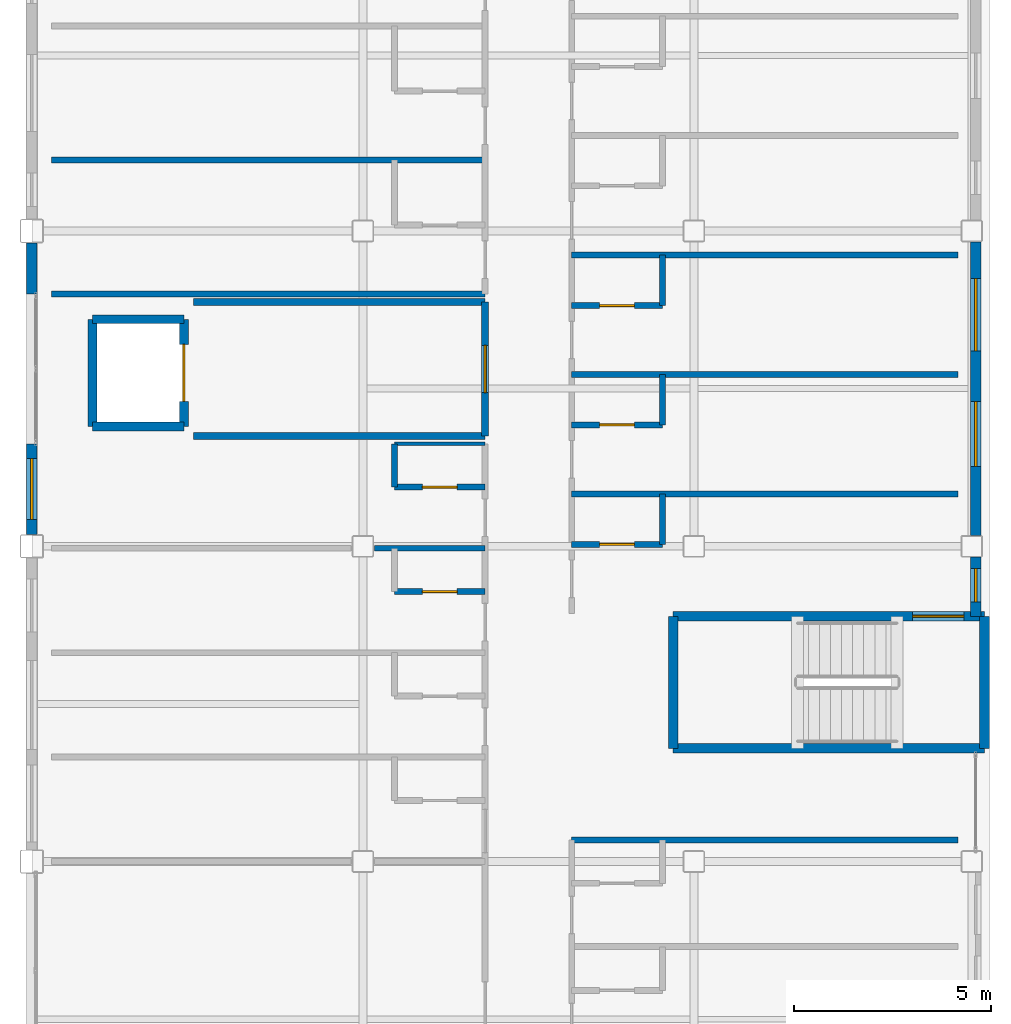
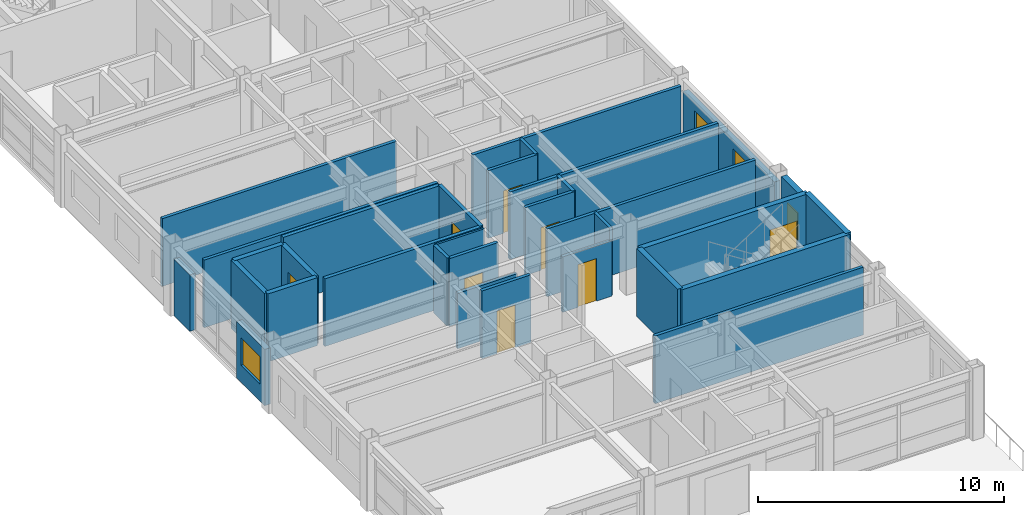
# One storey, part 26 of 36: 32 walls, 8 doors, 4 windows, 12 openings.
"""IFC4 building model written with IfcOpenShell, lengths in metres."""

from ifc_helpers import new_model, si_unit, direction, frame, frame_2d, origin, place, context, subcontext, project, spatial, rectangle, extrude, material, layer, layer_set, type_object, element, fill, save


model = new_model("IFC4")

# Units and contexts
model_context = context("Model", 3, precision=1e-05, world=origin(), true_north=direction((0.0, 1.0)))
body_context = subcontext(model_context, "Body", "Model", "MODEL_VIEW")
ifc_project = project(units=[si_unit("LENGTHUNIT", "METRE"), si_unit("AREAUNIT", "SQUARE_METRE"), si_unit("VOLUMEUNIT", "CUBIC_METRE"), si_unit("PLANEANGLEUNIT", "RADIAN"), si_unit("MASSUNIT", "GRAM", prefix="KILO")], contexts=[model_context])

# Site, building, storey
site_placement = place(None, origin())
site = spatial("IfcSite", under=ifc_project, at=site_placement, CompositionType="ELEMENT")
building_placement = place(site_placement, origin())
building = spatial("IfcBuilding", under=site, at=building_placement, Name="Kazehara Bluff Congress Hotel", CompositionType="ELEMENT")
storey_placement = place(building_placement, frame((0.0, 0.0, 31.800048828125)))
storey = spatial("IfcBuildingStorey", under=building, at=storey_placement, Name="L07", CompositionType="ELEMENT", Elevation=31.800048828125)

# Walls
ifc_material_1 = material(Name="Concrete C40/50", Category="concrete")
ifc_layer_1 = layer(ifc_material_1, 0.25)
ifc_layer_set_1 = layer_set([ifc_layer_1], Name="Concrete C40/50")
wall_type_1 = type_object("IfcWallType", Name="TP-CW-RC", PredefinedType="SHEAR", material=ifc_layer_set_1)
for number, where, z_axis, x_axis, name in (
    (1, (167.875, 22.22509765625, 0.0), (0.0, 0.0, 1.0), (0.0, -1.0, 0.0), "L07 ST-10 core wall near"),
    (2, (159.97509765625, 18.875, 0.0), (0.0, 0.0, 1.0), (0.0, 1.0, 0.0), "L07 ST-10 core wall far"),
):
    element("IfcWall", number, at=place(storey_placement, frame(where, z_axis=z_axis, x_axis=x_axis)), inside=storey, type_object=wall_type_1, Name=name, PredefinedType="SHEAR", context=body_context, shape_type="SweptSolid", body=[
        extrude(rectangle(XDim=3.35009765625, YDim=0.25, at=frame_2d((1.675048828125, 0.0))), origin(), (0.0, 0.0, 1.0), 3.3798828125),
    ])

# Wall, opening, door
wall_1_placement = place(storey_placement, frame((159.97509765625, 22.22509765625, 0.0), z_axis=(0.0, 0.0, 1.0), x_axis=(1.0, 0.0, 0.0)))
wall_1 = element("IfcWall", 3, at=wall_1_placement, inside=storey, type_object=wall_type_1, Name="L07 ST-10 core wall left", PredefinedType="SHEAR", context=body_context, shape_type="SweptSolid", body=[
    extrude(rectangle(XDim=7.89990234375, YDim=0.25, at=frame_2d((3.949951171875, 0.0))), origin(), (0.0, 0.0, 1.0), 3.3798828125),
])
opening_1_placement = place(wall_1_placement, frame((6.074951171875, 0.0, 0.0)))
opening_1 = element("IfcOpeningElement", 4, at=opening_1_placement, cuts=wall_1, Name="Opening FD-01", PredefinedType="OPENING", context=body_context, shape_type="SweptSolid", body=[
    extrude(rectangle(XDim=1.300048828125, YDim=2.199951171875, at=frame_2d((0.64990234375, 1.10009765625))), frame((0.0, 0.135009765625, 0.0), z_axis=(0.0, -1.0, 0.0), x_axis=(1.0, 0.0, 0.0)), (0.0, 0.0, 1.0), 0.27001953125),
])
ifc_material_2 = material(Name="Fire-rated painted steel leaf", Category="steel")
door_type_1 = type_object("IfcDoorType", Name="TP-FD-01", OperationType="NOTDEFINED", PredefinedType="DOOR", material=ifc_material_2)
door_1_placement = place(opening_1_placement, origin())
door_1 = element("IfcDoor", 5, at=door_1_placement, inside=storey, type_object=door_type_1, Name="L07 ST-10 fire stair door", OperationType="SINGLE_SWING_LEFT", OverallHeight=2.199951171875, OverallWidth=1.300048828125, PredefinedType="DOOR", context=body_context, shape_type="SweptSolid", body=[
    extrude(rectangle(XDim=1.300048828125, YDim=2.199951171875, at=frame_2d((0.64990234375, 1.10009765625))), frame((0.0, 0.02490234375, 0.0), z_axis=(0.0, -1.0, 0.0), x_axis=(1.0, 0.0, 0.0)), (0.0, 0.0, 1.0), 0.050048828125),
])
fill(opening_1, door_1)

# Wall
wall_2_placement = place(storey_placement, frame((167.875, 18.875, 0.0), z_axis=(0.0, 0.0, 1.0), x_axis=(-1.0, 0.0, 0.0)))
element("IfcWall", 6, at=wall_2_placement, inside=storey, type_object=wall_type_1, Name="L07 ST-10 core wall right", PredefinedType="SHEAR", context=body_context, shape_type="SweptSolid", body=[
    extrude(rectangle(XDim=7.89990234375, YDim=0.25, at=frame_2d((3.949951171875, 0.0))), origin(), (0.0, 0.0, 1.0), 3.3798828125),
])

# Wall, opening, window
ifc_material_3 = material(Name="Precast concrete C40/50", Category="concrete")
ifc_layer_2 = layer(ifc_material_3, 0.260009765625)
ifc_layer_set_2 = layer_set([ifc_layer_2], Name="Precast concrete C40/50")
wall_type_2 = type_object("IfcWallType", Name="TP-EW-260", PredefinedType="SOLIDWALL", material=ifc_layer_set_2)
wall_3_placement = place(storey_placement, frame((167.64990234375, 23.72509765625, 0.0), z_axis=(0.0, 0.0, 1.0), x_axis=(0.0, -1.0, 0.0)))
wall_3 = element("IfcWall", 7, at=wall_3_placement, inside=storey, type_object=wall_type_2, Name="L07 hotel facade panel 91", PredefinedType="SOLIDWALL", context=body_context, shape_type="SweptSolid", body=[
    extrude(rectangle(XDim=1.5, YDim=0.260009765625, at=frame_2d((0.75, 0.0))), origin(), (0.0, 0.0, 1.0), 3.364990234375),
])
opening_2_placement = place(wall_3_placement, frame((0.284912109375, 0.0, 0.85009765625)))
opening_2 = element("IfcOpeningElement", 8, at=opening_2_placement, cuts=wall_3, Name="Opening WN-55", PredefinedType="OPENING", context=body_context, shape_type="SweptSolid", body=[
    extrude(rectangle(XDim=0.85009765625, YDim=1.35009765625, at=frame_2d((0.425048828125, 0.675048828125))), frame((0.0, 0.139892578125, 0.0), z_axis=(0.0, -1.0, 0.0), x_axis=(1.0, 0.0, 0.0)), (0.0, 0.0, 1.0), 0.280029296875),
])
ifc_material_4 = material(Name="Insulated low-E double glazing", Category="glass")
window_type_1 = type_object("IfcWindowType", Name="TP-WN-55", PartitioningType="SINGLE_PANEL", PredefinedType="WINDOW", material=ifc_material_4)
window_1_placement = place(opening_2_placement, origin())
window_1 = element("IfcWindow", 9, at=window_1_placement, inside=storey, type_object=window_type_1, Name="L07 guestroom window WN-55 170", OverallHeight=1.35009765625, OverallWidth=0.85009765625, PartitioningType="SINGLE_PANEL", PredefinedType="WINDOW", context=body_context, shape_type="SweptSolid", body=[
    extrude(rectangle(XDim=0.85009765625, YDim=1.35009765625, at=frame_2d((0.425048828125, 0.675048828125))), frame((0.0, 0.030029296875, 0.0), z_axis=(0.0, -1.0, 0.0), x_axis=(1.0, 0.0, 0.0)), (0.0, 0.0, 1.0), 0.06005859375),
])
fill(opening_2, window_1)

# Wall, openings, windows
wall_4_placement = place(storey_placement, frame((167.64990234375, 31.72509765625, 0.0), z_axis=(0.0, 0.0, 1.0), x_axis=(0.0, -1.0, 0.0)))
wall_4 = element("IfcWall", 10, at=wall_4_placement, inside=storey, type_object=wall_type_2, Name="L07 hotel facade panel 92", PredefinedType="SOLIDWALL", context=body_context, shape_type="SweptSolid", body=[
    extrude(rectangle(XDim=7.4501953125, YDim=0.260009765625, at=frame_2d((3.72509765625, 0.0))), origin(), (0.0, 0.0, 1.0), 2.7548828125),
])
opening_3_placement = place(wall_4_placement, frame((4.054931640625, 0.0, 0.85009765625)))
opening_3 = element("IfcOpeningElement", 11, at=opening_3_placement, cuts=wall_4, Name="Opening WN-27", PredefinedType="OPENING", context=body_context, shape_type="SweptSolid", body=[
    extrude(rectangle(XDim=1.64990234375, YDim=1.5, at=frame_2d((0.824951171875, 0.75))), frame((0.0, 0.139892578125, 0.0), z_axis=(0.0, -1.0, 0.0), x_axis=(1.0, 0.0, 0.0)), (0.0, 0.0, 1.0), 0.280029296875),
])
opening_4_placement = place(wall_4_placement, frame((0.925048828125, 0.0, 0.85009765625)))
opening_4 = element("IfcOpeningElement", 12, at=opening_4_placement, cuts=wall_4, Name="Opening WN-37", PredefinedType="OPENING", context=body_context, shape_type="SweptSolid", body=[
    extrude(rectangle(XDim=1.85009765625, YDim=1.5, at=frame_2d((0.925048828125, 0.75))), frame((0.0, 0.139892578125, 0.0), z_axis=(0.0, -1.0, 0.0), x_axis=(1.0, 0.0, 0.0)), (0.0, 0.0, 1.0), 0.280029296875),
])
ifc_material_5 = material(Name="Insulated low-E double glazing", Category="glass")
window_type_2 = type_object("IfcWindowType", Name="TP-WN-27", PartitioningType="SINGLE_PANEL", PredefinedType="WINDOW", material=ifc_material_5)
window_2_placement = place(opening_3_placement, origin())
window_2 = element("IfcWindow", 13, at=window_2_placement, inside=storey, type_object=window_type_2, Name="L07 guestroom window WN-27 171", OverallHeight=1.5, OverallWidth=1.64990234375, PartitioningType="SINGLE_PANEL", PredefinedType="WINDOW", context=body_context, shape_type="SweptSolid", body=[
    extrude(rectangle(XDim=1.64990234375, YDim=1.5, at=frame_2d((0.824951171875, 0.75))), frame((0.0, 0.030029296875, 0.0), z_axis=(0.0, -1.0, 0.0), x_axis=(1.0, 0.0, 0.0)), (0.0, 0.0, 1.0), 0.06005859375),
])
fill(opening_3, window_2)
ifc_material_6 = material(Name="Insulated low-E double glazing", Category="glass")
window_type_3 = type_object("IfcWindowType", Name="TP-WN-37", PartitioningType="DOUBLE_PANEL_VERTICAL", PredefinedType="WINDOW", material=ifc_material_6)
window_3_placement = place(opening_4_placement, origin())
window_3 = element("IfcWindow", 14, at=window_3_placement, inside=storey, type_object=window_type_3, Name="L07 guestroom window WN-37 172", OverallHeight=1.5, OverallWidth=1.85009765625, PartitioningType="SINGLE_PANEL", PredefinedType="WINDOW", context=body_context, shape_type="SweptSolid", body=[
    extrude(rectangle(XDim=1.85009765625, YDim=1.5, at=frame_2d((0.925048828125, 0.75))), frame((0.0, 0.030029296875, 0.0), z_axis=(0.0, -1.0, 0.0), x_axis=(1.0, 0.0, 0.0)), (0.0, 0.0, 1.0), 0.06005859375),
])
fill(opening_4, window_3)

# Wall, opening, window
wall_5_placement = place(storey_placement, frame((143.699951171875, 24.300048828125, 0.0), z_axis=(0.0, 0.0, 1.0), x_axis=(0.0, 1.0, 0.0)))
wall_5 = element("IfcWall", 15, at=wall_5_placement, inside=storey, type_object=wall_type_2, Name="L07 hotel facade panel 102", PredefinedType="SOLIDWALL", context=body_context, shape_type="SweptSolid", body=[
    extrude(rectangle(XDim=2.300048828125, YDim=0.260009765625, at=frame_2d((1.14990234375, 0.0))), origin(), (0.0, 0.0, 1.0), 2.804931640625),
])
opening_5_placement = place(wall_5_placement, frame((0.375, 0.0, 0.85009765625)))
opening_5 = element("IfcOpeningElement", 16, at=opening_5_placement, cuts=wall_5, Name="Opening WN-21", PredefinedType="OPENING", context=body_context, shape_type="SweptSolid", body=[
    extrude(rectangle(XDim=1.550048828125, YDim=1.35009765625, at=frame_2d((0.77490234375, 0.675048828125))), frame((0.0, 0.139892578125, 0.0), z_axis=(0.0, -1.0, 0.0), x_axis=(1.0, 0.0, 0.0)), (0.0, 0.0, 1.0), 0.280029296875),
])
ifc_material_7 = material(Name="Insulated low-E double glazing", Category="glass")
window_type_4 = type_object("IfcWindowType", Name="TP-WN-21", PartitioningType="SINGLE_PANEL", PredefinedType="WINDOW", material=ifc_material_7)
window_4_placement = place(opening_5_placement, origin())
window_4 = element("IfcWindow", 17, at=window_4_placement, inside=storey, type_object=window_type_4, Name="L07 guestroom window WN-21 196", OverallHeight=1.35009765625, OverallWidth=1.550048828125, PartitioningType="SINGLE_PANEL", PredefinedType="WINDOW", context=body_context, shape_type="SweptSolid", body=[
    extrude(rectangle(XDim=1.550048828125, YDim=1.35009765625, at=frame_2d((0.77490234375, 0.675048828125))), frame((0.0, 0.030029296875, 0.0), z_axis=(0.0, -1.0, 0.0), x_axis=(1.0, 0.0, 0.0)), (0.0, 0.0, 1.0), 0.06005859375),
])
fill(opening_5, window_4)

# Walls
wall_6_placement = place(storey_placement, frame((143.699951171875, 30.39990234375, 0.0), z_axis=(0.0, 0.0, 1.0), x_axis=(0.0, 1.0, 0.0)))
element("IfcWall", 18, at=wall_6_placement, inside=storey, type_object=wall_type_2, Name="L07 hotel facade panel 103", PredefinedType="SOLIDWALL", context=body_context, shape_type="SweptSolid", body=[
    extrude(rectangle(XDim=1.300048828125, YDim=0.260009765625, at=frame_2d((0.64990234375, 0.0))), origin(), (0.0, 0.0, 1.0), 2.804931640625),
])
ifc_material_8 = material(Name="Fire-rated gypsum board stud partition")
ifc_layer_3 = layer(ifc_material_8, 0.094970703125)
ifc_layer_set_3 = layer_set([ifc_layer_3], Name="Fire-rated gypsum board stud partition")
wall_type_3 = type_object("IfcWallType", Name="TP-PT-095", PredefinedType="PARTITIONING", material=ifc_layer_set_3)
wall_7_placement = place(storey_placement, frame((152.89990234375, 26.60009765625, 0.0), z_axis=(0.0, 0.0, 1.0), x_axis=(1.0, 0.0, 0.0)))
element("IfcWall", 19, at=wall_7_placement, inside=storey, type_object=wall_type_3, Name="L07 partition PT-095 877", PredefinedType="PARTITIONING", context=body_context, shape_type="SweptSolid", body=[
    extrude(rectangle(XDim=2.300048828125, YDim=0.094970703125, at=frame_2d((1.14990234375, 0.0))), origin(), (0.0, 0.0, 1.0), 3.364990234375),
])
ifc_material_9 = material(Name="Fire-rated gypsum board stud partition")
ifc_layer_4 = layer(ifc_material_9, 0.14990234375)
ifc_layer_set_4 = layer_set([ifc_layer_4], Name="Fire-rated gypsum board stud partition")
wall_type_4 = type_object("IfcWallType", Name="TP-PT-150", PredefinedType="PARTITIONING", material=ifc_layer_set_4)
wall_8_placement = place(storey_placement, frame((157.39990234375, 16.550048828125, 0.0), z_axis=(0.0, 0.0, 1.0), x_axis=(1.0, 0.0, 0.0)))
element("IfcWall", 20, at=wall_8_placement, inside=storey, type_object=wall_type_4, Name="L07 partition PT-150 866", PredefinedType="PARTITIONING", context=body_context, shape_type="SweptSolid", body=[
    extrude(rectangle(XDim=9.800048828125, YDim=0.14990234375, at=frame_2d((4.89990234375, 0.0))), origin(), (0.0, 0.0, 1.0), 3.364990234375),
])

# Wall, opening, door
wall_9_placement = place(storey_placement, frame((152.89990234375, 22.85009765625, 0.0), z_axis=(0.0, 0.0, 1.0), x_axis=(1.0, 0.0, 0.0)))
wall_9 = element("IfcWall", 21, at=wall_9_placement, inside=storey, type_object=wall_type_4, Name="L07 partition PT-150 871", PredefinedType="PARTITIONING", context=body_context, shape_type="SweptSolid", body=[
    extrude(rectangle(XDim=2.300048828125, YDim=0.14990234375, at=frame_2d((1.14990234375, 0.0))), origin(), (0.0, 0.0, 1.0), 3.364990234375),
])
opening_6_placement = place(wall_9_placement, frame((0.7099609375, 0.0, 0.0)))
opening_6 = element("IfcOpeningElement", 22, at=opening_6_placement, cuts=wall_9, Name="Opening BD-02", PredefinedType="OPENING", context=body_context, shape_type="SweptSolid", body=[
    extrude(rectangle(XDim=0.8798828125, YDim=2.1201171875, at=frame_2d((0.43994140625, 1.06005859375))), frame((0.0, 0.0849609375, 0.0), z_axis=(0.0, -1.0, 0.0), x_axis=(1.0, 0.0, 0.0)), (0.0, 0.0, 1.0), 0.169921875),
])
ifc_material_10 = material(Name="Architectural oak veneer leaf")
door_type_2 = type_object("IfcDoorType", Name="TP-BD-02", OperationType="NOTDEFINED", PredefinedType="DOOR", material=ifc_material_10)
door_2_placement = place(opening_6_placement, origin())
door_2 = element("IfcDoor", 23, at=door_2_placement, inside=storey, type_object=door_type_2, Name="L07 En-suite Bathroom 169 door", OperationType="SINGLE_SWING_RIGHT", OverallHeight=2.1201171875, OverallWidth=0.8798828125, PredefinedType="DOOR", context=body_context, shape_type="SweptSolid", body=[
    extrude(rectangle(XDim=0.8798828125, YDim=2.1201171875, at=frame_2d((0.43994140625, 1.06005859375))), frame((0.0, 0.02490234375, 0.0), z_axis=(0.0, -1.0, 0.0), x_axis=(1.0, 0.0, 0.0)), (0.0, 0.0, 1.0), 0.050048828125),
])
fill(opening_6, door_2)

# Wall
wall_10_placement = place(storey_placement, frame((152.39501953125, 23.949951171875, 0.0), z_axis=(0.0, 0.0, 1.0), x_axis=(1.0, 0.0, 0.0)))
element("IfcWall", 24, at=wall_10_placement, inside=storey, type_object=wall_type_4, Name="L07 partition PT-150 873", PredefinedType="PARTITIONING", context=body_context, shape_type="SweptSolid", body=[
    extrude(rectangle(XDim=2.804931640625, YDim=0.14990234375, at=frame_2d((1.40234375, 0.0))), origin(), (0.0, 0.0, 1.0), 2.7548828125),
])

# Wall, opening, door
wall_11_placement = place(storey_placement, frame((157.39990234375, 24.050048828125, 0.0), z_axis=(0.0, 0.0, 1.0), x_axis=(1.0, 0.0, 0.0)))
wall_11 = element("IfcWall", 25, at=wall_11_placement, inside=storey, type_object=wall_type_4, Name="L07 partition PT-150 874", PredefinedType="PARTITIONING", context=body_context, shape_type="SweptSolid", body=[
    extrude(rectangle(XDim=2.300048828125, YDim=0.14990234375, at=frame_2d((1.14990234375, 0.0))), origin(), (0.0, 0.0, 1.0), 2.7548828125),
])
opening_7_placement = place(wall_11_placement, frame((0.7099609375, 0.0, 0.0)))
opening_7 = element("IfcOpeningElement", 26, at=opening_7_placement, cuts=wall_11, Name="Opening BD-02", PredefinedType="OPENING", context=body_context, shape_type="SweptSolid", body=[
    extrude(rectangle(XDim=0.8798828125, YDim=2.1201171875, at=frame_2d((0.43994140625, 1.06005859375))), frame((0.0, 0.0849609375, 0.0), z_axis=(0.0, -1.0, 0.0), x_axis=(1.0, 0.0, 0.0)), (0.0, 0.0, 1.0), 0.169921875),
])
door_3_placement = place(opening_7_placement, origin())
door_3 = element("IfcDoor", 27, at=door_3_placement, inside=storey, type_object=door_type_2, Name="L07 En-suite Bathroom 186 door", OperationType="SINGLE_SWING_RIGHT", OverallHeight=2.1201171875, OverallWidth=0.8798828125, PredefinedType="DOOR", context=body_context, shape_type="SweptSolid", body=[
    extrude(rectangle(XDim=0.8798828125, YDim=2.1201171875, at=frame_2d((0.43994140625, 1.06005859375))), frame((0.0, 0.02490234375, 0.0), z_axis=(0.0, -1.0, 0.0), x_axis=(1.0, 0.0, 0.0)), (0.0, 0.0, 1.0), 0.050048828125),
])
fill(opening_7, door_3)

# Wall
wall_12_placement = place(storey_placement, frame((157.39990234375, 25.330078125, 0.0), z_axis=(0.0, 0.0, 1.0), x_axis=(1.0, 0.0, 0.0)))
element("IfcWall", 28, at=wall_12_placement, inside=storey, type_object=wall_type_4, Name="L07 partition PT-150 875", PredefinedType="PARTITIONING", context=body_context, shape_type="SweptSolid", body=[
    extrude(rectangle(XDim=9.800048828125, YDim=0.14990234375, at=frame_2d((4.89990234375, 0.0))), origin(), (0.0, 0.0, 1.0), 3.364990234375),
])

# Wall, opening, door
wall_13_placement = place(storey_placement, frame((152.89990234375, 25.5, 0.0), z_axis=(0.0, 0.0, 1.0), x_axis=(1.0, 0.0, 0.0)))
wall_13 = element("IfcWall", 29, at=wall_13_placement, inside=storey, type_object=wall_type_4, Name="L07 partition PT-150 876", PredefinedType="PARTITIONING", context=body_context, shape_type="SweptSolid", body=[
    extrude(rectangle(XDim=2.300048828125, YDim=0.14990234375, at=frame_2d((1.14990234375, 0.0))), origin(), (0.0, 0.0, 1.0), 3.364990234375),
])
opening_8_placement = place(wall_13_placement, frame((0.7099609375, 0.0, 0.0)))
opening_8 = element("IfcOpeningElement", 30, at=opening_8_placement, cuts=wall_13, Name="Opening BD-02", PredefinedType="OPENING", context=body_context, shape_type="SweptSolid", body=[
    extrude(rectangle(XDim=0.8798828125, YDim=2.1201171875, at=frame_2d((0.43994140625, 1.06005859375))), frame((0.0, 0.0849609375, 0.0), z_axis=(0.0, -1.0, 0.0), x_axis=(1.0, 0.0, 0.0)), (0.0, 0.0, 1.0), 0.169921875),
])
door_4_placement = place(opening_8_placement, origin())
door_4 = element("IfcDoor", 31, at=door_4_placement, inside=storey, type_object=door_type_2, Name="L07 En-suite Bathroom 170 door", OperationType="SINGLE_SWING_RIGHT", OverallHeight=2.1201171875, OverallWidth=0.8798828125, PredefinedType="DOOR", context=body_context, shape_type="SweptSolid", body=[
    extrude(rectangle(XDim=0.8798828125, YDim=2.1201171875, at=frame_2d((0.43994140625, 1.06005859375))), frame((0.0, 0.02490234375, 0.0), z_axis=(0.0, -1.0, 0.0), x_axis=(1.0, 0.0, 0.0)), (0.0, 0.0, 1.0), 0.050048828125),
])
fill(opening_8, door_4)

wall_14_placement = place(storey_placement, frame((157.39990234375, 27.080078125, 0.0), z_axis=(0.0, 0.0, 1.0), x_axis=(1.0, 0.0, 0.0)))
wall_14 = element("IfcWall", 32, at=wall_14_placement, inside=storey, type_object=wall_type_4, Name="L07 partition PT-150 879", PredefinedType="PARTITIONING", context=body_context, shape_type="SweptSolid", body=[
    extrude(rectangle(XDim=2.300048828125, YDim=0.14990234375, at=frame_2d((1.14990234375, 0.0))), origin(), (0.0, 0.0, 1.0), 3.364990234375),
])
opening_9_placement = place(wall_14_placement, frame((0.7099609375, 0.0, 0.0)))
opening_9 = element("IfcOpeningElement", 33, at=opening_9_placement, cuts=wall_14, Name="Opening BD-02", PredefinedType="OPENING", context=body_context, shape_type="SweptSolid", body=[
    extrude(rectangle(XDim=0.8798828125, YDim=2.1201171875, at=frame_2d((0.43994140625, 1.06005859375))), frame((0.0, 0.0849609375, 0.0), z_axis=(0.0, -1.0, 0.0), x_axis=(1.0, 0.0, 0.0)), (0.0, 0.0, 1.0), 0.169921875),
])
door_5_placement = place(opening_9_placement, origin())
door_5 = element("IfcDoor", 34, at=door_5_placement, inside=storey, type_object=door_type_2, Name="L07 En-suite Bathroom 187 door", OperationType="SINGLE_SWING_RIGHT", OverallHeight=2.1201171875, OverallWidth=0.8798828125, PredefinedType="DOOR", context=body_context, shape_type="SweptSolid", body=[
    extrude(rectangle(XDim=0.8798828125, YDim=2.1201171875, at=frame_2d((0.43994140625, 1.06005859375))), frame((0.0, 0.02490234375, 0.0), z_axis=(0.0, -1.0, 0.0), x_axis=(1.0, 0.0, 0.0)), (0.0, 0.0, 1.0), 0.050048828125),
])
fill(opening_9, door_5)

# Wall
wall_15_placement = place(storey_placement, frame((157.39990234375, 28.360107421875, 0.0), z_axis=(0.0, 0.0, 1.0), x_axis=(1.0, 0.0, 0.0)))
element("IfcWall", 35, at=wall_15_placement, inside=storey, type_object=wall_type_4, Name="L07 partition PT-150 880", PredefinedType="PARTITIONING", context=body_context, shape_type="SweptSolid", body=[
    extrude(rectangle(XDim=9.800048828125, YDim=0.14990234375, at=frame_2d((4.89990234375, 0.0))), origin(), (0.0, 0.0, 1.0), 3.364990234375),
])

# Wall, opening, door
wall_16_placement = place(storey_placement, frame((157.39990234375, 30.110107421875, 0.0), z_axis=(0.0, 0.0, 1.0), x_axis=(1.0, 0.0, 0.0)))
wall_16 = element("IfcWall", 36, at=wall_16_placement, inside=storey, type_object=wall_type_4, Name="L07 partition PT-150 881", PredefinedType="PARTITIONING", context=body_context, shape_type="SweptSolid", body=[
    extrude(rectangle(XDim=2.300048828125, YDim=0.14990234375, at=frame_2d((1.14990234375, 0.0))), origin(), (0.0, 0.0, 1.0), 3.364990234375),
])
opening_10_placement = place(wall_16_placement, frame((0.7099609375, 0.0, 0.0)))
opening_10 = element("IfcOpeningElement", 37, at=opening_10_placement, cuts=wall_16, Name="Opening BD-02", PredefinedType="OPENING", context=body_context, shape_type="SweptSolid", body=[
    extrude(rectangle(XDim=0.8798828125, YDim=2.1201171875, at=frame_2d((0.43994140625, 1.06005859375))), frame((0.0, 0.0849609375, 0.0), z_axis=(0.0, -1.0, 0.0), x_axis=(1.0, 0.0, 0.0)), (0.0, 0.0, 1.0), 0.169921875),
])
door_6_placement = place(opening_10_placement, origin())
door_6 = element("IfcDoor", 38, at=door_6_placement, inside=storey, type_object=door_type_2, Name="L07 En-suite Bathroom 188 door", OperationType="SINGLE_SWING_RIGHT", OverallHeight=2.1201171875, OverallWidth=0.8798828125, PredefinedType="DOOR", context=body_context, shape_type="SweptSolid", body=[
    extrude(rectangle(XDim=0.8798828125, YDim=2.1201171875, at=frame_2d((0.43994140625, 1.06005859375))), frame((0.0, 0.02490234375, 0.0), z_axis=(0.0, -1.0, 0.0), x_axis=(1.0, 0.0, 0.0)), (0.0, 0.0, 1.0), 0.050048828125),
])
fill(opening_10, door_6)

# Walls
wall_17_placement = place(storey_placement, frame((144.199951171875, 30.39990234375, 0.0), z_axis=(0.0, 0.0, 1.0), x_axis=(1.0, 0.0, 0.0)))
element("IfcWall", 39, at=wall_17_placement, inside=storey, type_object=wall_type_4, Name="L07 partition PT-150 883", PredefinedType="PARTITIONING", context=body_context, shape_type="SweptSolid", body=[
    extrude(rectangle(XDim=11.0, YDim=0.14990234375, at=frame_2d((5.5, 0.0))), origin(), (0.0, 0.0, 1.0), 3.364990234375),
])
wall_18_placement = place(storey_placement, frame((157.39990234375, 31.389892578125, 0.0), z_axis=(0.0, 0.0, 1.0), x_axis=(1.0, 0.0, 0.0)))
element("IfcWall", 40, at=wall_18_placement, inside=storey, type_object=wall_type_4, Name="L07 partition PT-150 884", PredefinedType="PARTITIONING", context=body_context, shape_type="SweptSolid", body=[
    extrude(rectangle(XDim=9.800048828125, YDim=0.14990234375, at=frame_2d((4.89990234375, 0.0))), origin(), (0.0, 0.0, 1.0), 3.364990234375),
])
wall_19_placement = place(storey_placement, frame((144.199951171875, 33.800048828125, 0.0), z_axis=(0.0, 0.0, 1.0), x_axis=(1.0, 0.0, 0.0)))
element("IfcWall", 41, at=wall_19_placement, inside=storey, type_object=wall_type_4, Name="L07 partition PT-150 887", PredefinedType="PARTITIONING", context=body_context, shape_type="SweptSolid", body=[
    extrude(rectangle(XDim=11.0, YDim=0.14990234375, at=frame_2d((5.5, 0.0))), origin(), (0.0, 0.0, 1.0), 3.364990234375),
])
wall_20_placement = place(storey_placement, frame((152.89990234375, 25.5, 0.0), z_axis=(0.0, 0.0, 1.0), x_axis=(0.0, 1.0, 0.0)))
element("IfcWall", 42, at=wall_20_placement, inside=storey, type_object=wall_type_4, Name="L07 partition PT-150 962", PredefinedType="PARTITIONING", context=body_context, shape_type="SweptSolid", body=[
    extrude(rectangle(XDim=1.10009765625, YDim=0.14990234375, at=frame_2d((0.550048828125, 0.0))), origin(), (0.0, 0.0, 1.0), 3.364990234375),
])
for number, where, z_axis, x_axis, name in (
    (43, (159.699951171875, 24.050048828125, 0.0), (0.0, 0.0, 1.0), (0.0, 1.0, 0.0), "L07 partition PT-150 988"),
    (44, (159.699951171875, 27.080078125, 0.0), (0.0, 0.0, 1.0), (0.0, 1.0, 0.0), "L07 partition PT-150 989"),
):
    element("IfcWall", number, at=place(storey_placement, frame(where, z_axis=z_axis, x_axis=x_axis)), inside=storey, type_object=wall_type_4, Name=name, PredefinedType="PARTITIONING", context=body_context, shape_type="SweptSolid", body=[
        extrude(rectangle(XDim=1.280029296875, YDim=0.14990234375, at=frame_2d((0.64013671875, 0.0))), origin(), (0.0, 0.0, 1.0), 3.364990234375),
    ])
wall_21_placement = place(storey_placement, frame((159.699951171875, 30.110107421875, 0.0), z_axis=(0.0, 0.0, 1.0), x_axis=(0.0, 1.0, 0.0)))
element("IfcWall", 45, at=wall_21_placement, inside=storey, type_object=wall_type_4, Name="L07 partition PT-150 990", PredefinedType="PARTITIONING", context=body_context, shape_type="SweptSolid", body=[
    extrude(rectangle(XDim=1.284912109375, YDim=0.14990234375, at=frame_2d((0.642578125, 0.0))), origin(), (0.0, 0.0, 1.0), 3.364990234375),
])
ifc_material_11 = material(Name="Fire-rated gypsum board stud partition")
ifc_layer_5 = layer(ifc_material_11, 0.169921875)
ifc_layer_set_5 = layer_set([ifc_layer_5], Name="Fire-rated gypsum board stud partition")
wall_type_5 = type_object("IfcWallType", Name="TP-PT-180", PredefinedType="PARTITIONING", material=ifc_layer_set_5)
for number, where, z_axis, x_axis, name in (
    (46, (147.800048828125, 26.800048828125, 0.0), (0.0, 0.0, 1.0), (1.0, 0.0, 0.0), "L07 partition PT-180 878"),
    (47, (147.800048828125, 30.199951171875, 0.0), (0.0, 0.0, 1.0), (1.0, 0.0, 0.0), "L07 partition PT-180 882"),
):
    element("IfcWall", number, at=place(storey_placement, frame(where, z_axis=z_axis, x_axis=x_axis)), inside=storey, type_object=wall_type_5, Name=name, PredefinedType="PARTITIONING", context=body_context, shape_type="SweptSolid", body=[
        extrude(rectangle(XDim=7.39990234375, YDim=0.169921875, at=frame_2d((3.699951171875, 0.0))), origin(), (0.0, 0.0, 1.0), 3.364990234375),
    ])

# Wall, opening, door
wall_22_placement = place(storey_placement, frame((155.199951171875, 26.800048828125, 0.0), z_axis=(0.0, 0.0, 1.0), x_axis=(0.0, 1.0, 0.0)))
wall_22 = element("IfcWall", 48, at=wall_22_placement, inside=storey, type_object=wall_type_5, Name="L07 partition PT-180 976", PredefinedType="PARTITIONING", context=body_context, shape_type="SweptSolid", body=[
    extrude(rectangle(XDim=3.39990234375, YDim=0.169921875, at=frame_2d((1.699951171875, 0.0))), origin(), (0.0, 0.0, 1.0), 3.364990234375),
])
opening_11_placement = place(wall_22_placement, frame((1.10009765625, 0.0, 0.0)))
opening_11 = element("IfcOpeningElement", 49, at=opening_11_placement, cuts=wall_22, Name="Opening FD-02", PredefinedType="OPENING", context=body_context, shape_type="SweptSolid", body=[
    extrude(rectangle(XDim=1.199951171875, YDim=2.199951171875, at=frame_2d((0.60009765625, 1.10009765625))), frame((0.0, 0.094970703125, 0.0), z_axis=(0.0, -1.0, 0.0), x_axis=(1.0, 0.0, 0.0)), (0.0, 0.0, 1.0), 0.18994140625),
])
ifc_material_12 = material(Name="Fire-rated painted steel leaf", Category="steel")
door_type_3 = type_object("IfcDoorType", Name="TP-FD-02", OperationType="NOTDEFINED", PredefinedType="DOOR", material=ifc_material_12)
door_7_placement = place(opening_11_placement, origin())
door_7 = element("IfcDoor", 50, at=door_7_placement, inside=storey, type_object=door_type_3, Name="L07 L07 Service Lift Lobby door", OperationType="SINGLE_SWING_LEFT", OverallHeight=2.199951171875, OverallWidth=1.199951171875, PredefinedType="DOOR", context=body_context, shape_type="SweptSolid", body=[
    extrude(rectangle(XDim=1.199951171875, YDim=2.199951171875, at=frame_2d((0.60009765625, 1.10009765625))), frame((0.0, 0.02490234375, 0.0), z_axis=(0.0, -1.0, 0.0), x_axis=(1.0, 0.0, 0.0)), (0.0, 0.0, 1.0), 0.050048828125),
])
fill(opening_11, door_7)

# Walls
ifc_material_13 = material(Name="Concrete C40/50", Category="concrete")
ifc_layer_6 = layer(ifc_material_13, 0.219970703125)
ifc_layer_set_6 = layer_set([ifc_layer_6], Name="Concrete C40/50")
wall_type_6 = type_object("IfcWallType", Name="TP-SW-RC", PredefinedType="SHEAR", material=ifc_layer_set_6)
for number, where, z_axis, x_axis, name in (
    (51, (145.239990234375, 29.760009765625, 0.0), (0.0, 0.0, 1.0), (1.0, 0.0, 0.0), "L07 EL-S3 lift shaft wall +Y"),
    (52, (145.239990234375, 27.0400390625, 0.0), (0.0, 0.0, 1.0), (1.0, 0.0, 0.0), "L07 EL-S3 lift shaft wall -Y"),
):
    element("IfcWall", number, at=place(storey_placement, frame(where, z_axis=z_axis, x_axis=x_axis)), inside=storey, type_object=wall_type_6, Name=name, PredefinedType="SHEAR", context=body_context, shape_type="SweptSolid", body=[
        extrude(rectangle(XDim=2.320068359375, YDim=0.219970703125, at=frame_2d((1.16015625, 0.0))), origin(), (0.0, 0.0, 1.0), 3.3798828125),
    ])

# Wall, opening, door
wall_23_placement = place(storey_placement, frame((147.56005859375, 27.0400390625, 0.0), z_axis=(0.0, 0.0, 1.0), x_axis=(0.0, 1.0, 0.0)))
wall_23 = element("IfcWall", 53, at=wall_23_placement, inside=storey, type_object=wall_type_6, Name="L07 EL-S3 lift shaft wall +X", PredefinedType="SHEAR", context=body_context, shape_type="SweptSolid", body=[
    extrude(rectangle(XDim=2.719970703125, YDim=0.219970703125, at=frame_2d((1.35986328125, 0.0))), origin(), (0.0, 0.0, 1.0), 3.3798828125),
])
opening_12_placement = place(wall_23_placement, frame((0.635009765625, 0.0, 0.0)))
opening_12 = element("IfcOpeningElement", 54, at=opening_12_placement, cuts=wall_23, Name="Opening LD-04", PredefinedType="OPENING", context=body_context, shape_type="SweptSolid", body=[
    extrude(rectangle(XDim=1.449951171875, YDim=2.35009765625, at=frame_2d((0.72509765625, 1.175048828125))), frame((0.0, 0.119873046875, 0.0), z_axis=(0.0, -1.0, 0.0), x_axis=(1.0, 0.0, 0.0)), (0.0, 0.0, 1.0), 0.239990234375),
])
ifc_material_14 = material(Name="Fire-rated painted steel leaf", Category="steel")
door_type_4 = type_object("IfcDoorType", Name="TP-LD-04", OperationType="SLIDING_TO_LEFT", PredefinedType="DOOR", material=ifc_material_14)
door_8_placement = place(opening_12_placement, origin())
door_8 = element("IfcDoor", 55, at=door_8_placement, inside=storey, type_object=door_type_4, Name="L07 EL-S3 elevator landing door", OperationType="SLIDING_TO_LEFT", OverallHeight=2.35009765625, OverallWidth=1.449951171875, PredefinedType="DOOR", context=body_context, shape_type="SweptSolid", body=[
    extrude(rectangle(XDim=1.449951171875, YDim=2.35009765625, at=frame_2d((0.72509765625, 1.175048828125))), frame((0.0, 0.02490234375, 0.0), z_axis=(0.0, -1.0, 0.0), x_axis=(1.0, 0.0, 0.0)), (0.0, 0.0, 1.0), 0.050048828125),
])
fill(opening_12, door_8)

# Wall
wall_24_placement = place(storey_placement, frame((145.239990234375, 27.0400390625, 0.0), z_axis=(0.0, 0.0, 1.0), x_axis=(0.0, 1.0, 0.0)))
element("IfcWall", 56, at=wall_24_placement, inside=storey, type_object=wall_type_6, Name="L07 EL-S3 lift shaft wall -X", PredefinedType="SHEAR", context=body_context, shape_type="SweptSolid", body=[
    extrude(rectangle(XDim=2.719970703125, YDim=0.219970703125, at=frame_2d((1.35986328125, 0.0))), origin(), (0.0, 0.0, 1.0), 3.3798828125),
])

save(model, "model.ifc")
